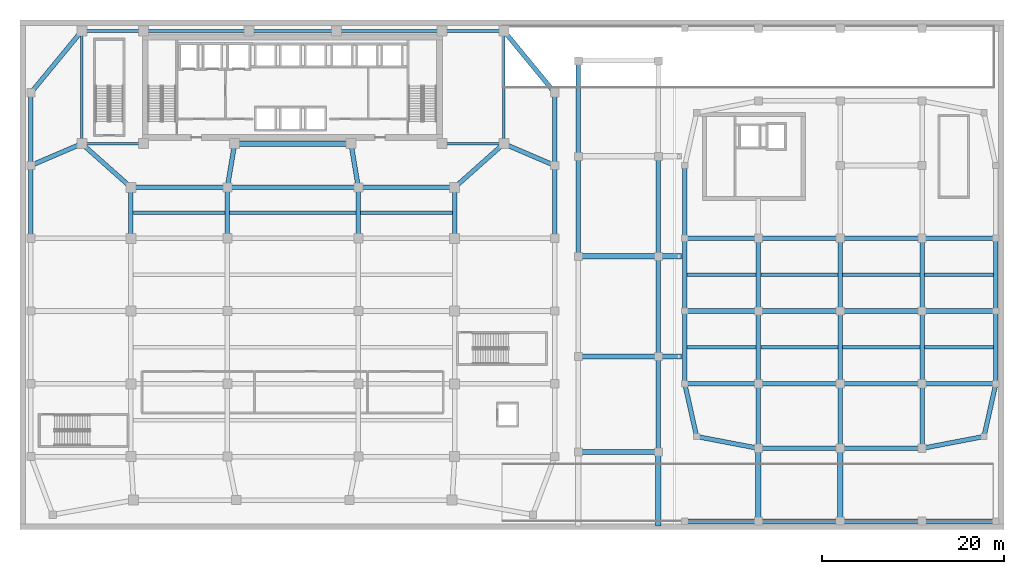
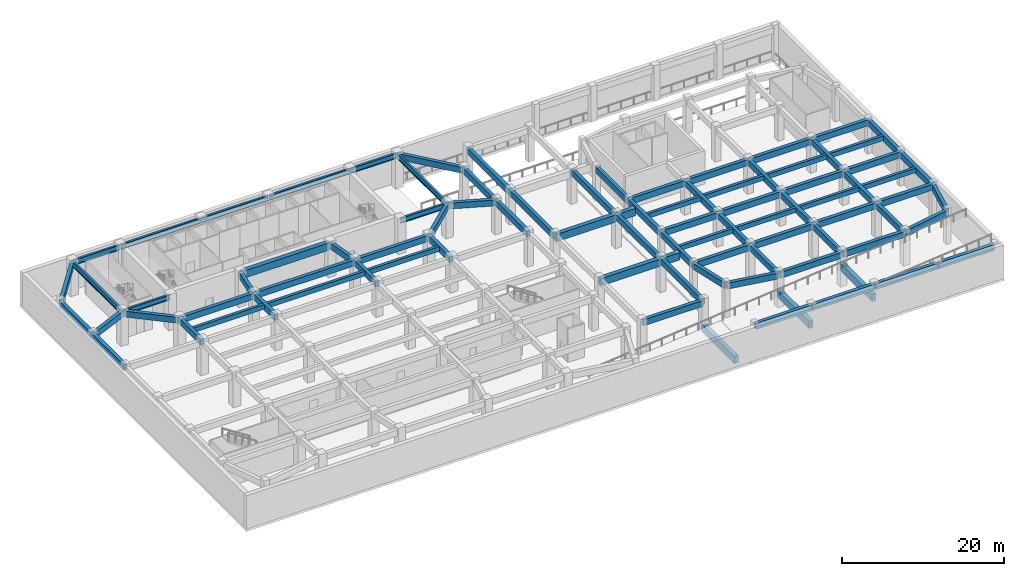
# One storey, part 2 of 14: 87 beams.
"""IFC4 building model written with IfcOpenShell, lengths in metres."""

import ifcopenshell
import ifcopenshell.guid

model = None  # the IFC model being written
_history = None  # IfcOwnerHistory: only IFC2X3 demands one
_inside = {}  # id of a spatial element -> (the spatial element, [elements in it])
_under = {}  # id of a project, library or spatial element -> (it, [spatial elements below it])
_declared = {}  # id of a project -> (the project, [libraries it declares])
_typed = {}  # id of a type object -> (the type object, [elements of that type])
_made_of = {}  # id of a material, layer set ... -> (it, [elements and type objects made of it])


def new_model(schema):
    """Start an empty IFC model of exactly this schema.

    Asked for "IFC4X3", IfcOpenShell would pick the latest addendum, in which some entities
    have other attributes; the version numbers below select the first issue.
    IFC2X3 requires an IfcOwnerHistory on every rooted entity: one is made here for all.
    """
    global model, _history
    if schema == "IFC4X3":
        model = ifcopenshell.file(schema_version=(4, 3, 0, 0))
    else:
        model = ifcopenshell.file(schema=schema)
    _inside.clear()
    _under.clear()
    _declared.clear()
    _typed.clear()
    _made_of.clear()
    _history = None
    if model.schema == "IFC2X3":
        org = make("IfcOrganization", Name="unknown")
        user = make(
            "IfcPersonAndOrganization",
            ThePerson=make("IfcPerson", FamilyName="unknown"),
            TheOrganization=org,
        )
        app = make(
            "IfcApplication",
            ApplicationDeveloper=org,
            Version="unknown",
            ApplicationFullName="unknown",
            ApplicationIdentifier="unknown",
        )
        _history = make(
            "IfcOwnerHistory",
            OwningUser=user,
            OwningApplication=app,
            ChangeAction="ADDED",
            CreationDate=0,
        )
    return model


def make(cls, **values):
    """One entity of the class cls with the attributes given. An attribute that is None is left unset."""
    return model.create_entity(
        cls, **{name: value for name, value in values.items() if value is not None}
    )


def rooted(cls, **values):
    """An entity with a GlobalId (a new one), such as an element, a storey or a relation."""
    return make(cls, GlobalId=ifcopenshell.guid.new(), OwnerHistory=_history, **values)


def si_unit(unit_type, name, prefix=None):
    """IfcSIUnit, for example si_unit("LENGTHUNIT", "METRE", prefix="MILLI")."""
    return make("IfcSIUnit", UnitType=unit_type, Prefix=prefix, Name=name)


def assignment(units):
    """IfcUnitAssignment: the units of a project."""
    return None if units is None else make("IfcUnitAssignment", Units=units)


def point(xyz):
    """IfcCartesianPoint."""
    return None if xyz is None else make("IfcCartesianPoint", Coordinates=xyz)


def direction(xyz):
    """IfcDirection."""
    return None if xyz is None else make("IfcDirection", DirectionRatios=xyz)


def frame(location, z_axis=None, x_axis=None):
    """IfcAxis2Placement3D, a coordinate frame: its origin and axes. An axis left out is left unset."""
    return make(
        "IfcAxis2Placement3D",
        Location=point(location),
        Axis=direction(z_axis),
        RefDirection=direction(x_axis),
    )


def frame_2d(location, x_axis=None):
    """IfcAxis2Placement2D, a coordinate frame in the plane: its origin and x axis."""
    return make(
        "IfcAxis2Placement2D", Location=point(location), RefDirection=direction(x_axis)
    )


def origin():
    """The frame at (0, 0, 0) with its axes left unset."""
    return frame((0.0, 0.0, 0.0))


def origin_2d():
    """The frame at (0, 0) in the plane with its x axis left unset."""
    return frame_2d((0.0, 0.0))


def place(relative_to, where):
    """IfcLocalPlacement: puts the frame where relative to a parent placement (None: the world)."""
    return make(
        "IfcLocalPlacement", PlacementRelTo=relative_to, RelativePlacement=where
    )


def context(
    kind, dimensions, precision=None, world=None, true_north=None, identifier=None
):
    """IfcGeometricRepresentationContext, for example the 3D "Model" context."""
    return make(
        "IfcGeometricRepresentationContext",
        ContextIdentifier=identifier,
        ContextType=kind,
        CoordinateSpaceDimension=dimensions,
        Precision=precision,
        WorldCoordinateSystem=world,
        TrueNorth=true_north,
    )


def subcontext(parent, identifier, kind, view, scale=None):
    """IfcGeometricRepresentationSubContext, for example "Body" below "Model"."""
    return make(
        "IfcGeometricRepresentationSubContext",
        ContextIdentifier=identifier,
        ContextType=kind,
        ParentContext=parent,
        TargetScale=scale,
        TargetView=view,
    )


def project(units=None, contexts=None):
    """IfcProject with its units and contexts."""
    return rooted(
        "IfcProject",
        Name="project",
        RepresentationContexts=contexts,
        UnitsInContext=assignment(units),
    )


def spatial(cls, under=None, at=None, **own):
    """A site, building, storey or space (cls), placed at a placement, below another one or the project."""
    s = rooted(cls, ObjectPlacement=at, **own)
    if under is not None:
        _under.setdefault(under.id(), (under, []))[1].append(s)
    return s


def profile(cls, at=None, kind="AREA", **sizes):
    """A parametric profile (cls). Its sizes go by their IFC names, for example OverallWidth=200.0."""
    return make(cls, ProfileType=kind, Position=at, **sizes)


def rectangle(**sizes):
    """IfcRectangleProfileDef."""
    return profile("IfcRectangleProfileDef", **sizes)


def i_section(**sizes):
    """IfcIShapeProfileDef."""
    return profile("IfcIShapeProfileDef", **sizes)


def extrude(swept, where, along, depth):
    """IfcExtrudedAreaSolid: the profile swept, set in the frame where, extruded along a direction by depth."""
    return make(
        "IfcExtrudedAreaSolid",
        SweptArea=swept,
        Position=where,
        ExtrudedDirection=direction(along),
        Depth=depth,
    )


def shape(context_of_items, identifier, shape_type, items):
    """IfcShapeRepresentation: the items that make up one representation, for example the "Body"."""
    return make(
        "IfcShapeRepresentation",
        ContextOfItems=context_of_items,
        RepresentationIdentifier=identifier,
        RepresentationType=shape_type,
        Items=items,
    )


def material(Name=None, Category=None):
    """IfcMaterial."""
    return make("IfcMaterial", Name=Name, Category=Category)


def material_profile(
    of_material, cross_section, Name=None, Category=None, Priority=None
):
    """IfcMaterialProfile: a cross section and its material."""
    return make(
        "IfcMaterialProfile",
        Name=Name,
        Material=of_material,
        Profile=cross_section,
        Priority=Priority,
        Category=Category,
    )


def profile_set(profiles, Name=None, composite=None):
    """IfcMaterialProfileSet."""
    return make(
        "IfcMaterialProfileSet",
        Name=Name,
        MaterialProfiles=profiles,
        CompositeProfile=composite,
    )


def made_of(thing, what):
    """Note that an element or type object is made of a material, layer set ...; save() writes the relation."""
    if what is not None:
        _made_of.setdefault(what.id(), (what, []))[1].append(thing)
    return thing


def type_object(cls, material=None, **own):
    """A type object (cls), such as IfcWallType, which elements share."""
    return made_of(rooted(cls, **own), material)


def element(
    cls,
    number,
    at=None,
    inside=None,
    cuts=None,
    type_object=None,
    material=None,
    context=None,
    identifier="Body",
    shape_type=None,
    held_by="IfcProductDefinitionShape",
    body=None,
    shapes=None,
    **own,
):
    """One element of the class cls, such as IfcWall. Its Tag is "e" and its number.

    at: its placement. inside: the storey or other place that contains it. cuts: it is an
    opening in that element (IfcRelVoidsElement). A single representation is given by context,
    identifier, shape_type and body (its items); several are given by shapes. held_by: the class
    of the entity that holds the representations. save() writes the other relations.
    """
    e = rooted(cls, Tag="e%d" % number, ObjectPlacement=at, **own)
    if body is not None:
        shapes = [shape(context, identifier, shape_type, body)]
    if shapes is not None:
        e.Representation = make(held_by, Representations=shapes)
    if inside is not None:
        _inside.setdefault(inside.id(), (inside, []))[1].append(e)
    if cuts is not None:
        rooted(
            "IfcRelVoidsElement", RelatingBuildingElement=cuts, RelatedOpeningElement=e
        )
    if type_object is not None:
        _typed.setdefault(type_object.id(), (type_object, []))[1].append(e)
    return made_of(e, material)


def aggregate(whole, parts):
    """IfcRelAggregates: a whole, such as a stair, and the parts it consists of."""
    return rooted("IfcRelAggregates", RelatingObject=whole, RelatedObjects=parts)


def save(model, path):
    """Write the relations noted so far, then the file.

    IfcRelAggregates (storeys below a building ...), IfcRelContainedInSpatialStructure (elements
    in a storey), IfcRelDefinesByType, IfcRelAssociatesMaterial and IfcRelDeclares: one each for
    every whole, place, type object, material and project.
    """
    for whole, parts in _under.values():
        aggregate(whole, parts)
    for where, things in _inside.values():
        rooted(
            "IfcRelContainedInSpatialStructure",
            RelatedElements=things,
            RelatingStructure=where,
        )
    for kind, things in _typed.values():
        rooted("IfcRelDefinesByType", RelatedObjects=things, RelatingType=kind)
    for what, things in _made_of.values():
        rooted("IfcRelAssociatesMaterial", RelatedObjects=things, RelatingMaterial=what)
    for by, libraries in _declared.values():
        rooted("IfcRelDeclares", RelatingContext=by, RelatedDefinitions=libraries)
    model.write(path)


model = new_model("IFC4")

# Units and contexts
model_context = context("Model", 3, precision=1e-05, world=origin(), true_north=direction((0.0, 1.0)))
body_context = subcontext(model_context, "Body", "Model", "MODEL_VIEW")
ifc_project = project(units=[si_unit("LENGTHUNIT", "METRE"), si_unit("AREAUNIT", "SQUARE_METRE"), si_unit("VOLUMEUNIT", "CUBIC_METRE"), si_unit("PLANEANGLEUNIT", "RADIAN"), si_unit("MASSUNIT", "GRAM", prefix="KILO")], contexts=[model_context])

# Site, building, storey
site_placement = place(None, origin())
site = spatial("IfcSite", under=ifc_project, at=site_placement, CompositionType="ELEMENT")
building_placement = place(site_placement, origin())
building = spatial("IfcBuilding", under=site, at=building_placement, Name="Saevonmaru Cultural Tower", CompositionType="ELEMENT")
storey_placement = place(building_placement, frame((0.0, 0.0, -5.39990234375)))
storey = spatial("IfcBuildingStorey", under=building, at=storey_placement, Name="B1", CompositionType="ELEMENT", Elevation=-5.39990234375)

# Beams
ifc_material_1 = material(Name="Concrete C60/75", Category="concrete")
ifc_material_profile_1 = material_profile(ifc_material_1, rectangle(XDim=0.60009765625, YDim=1.10009765625, at=origin_2d()), Name="RC-CB-600x1100")
ifc_profile_set_1 = profile_set([ifc_material_profile_1], Name="Concrete C60/75")
beam_type_1 = type_object("IfcBeamType", Name="BM-CB-RC600x1100", PredefinedType="LINTEL", material=ifc_profile_set_1)
beam_1_placement = place(storey_placement, frame((70.199951171875, 0.360107421875, 0.81982421875), z_axis=(0.0, 1.0, 0.0), x_axis=(-1.0, 0.0, 0.0)))
element("IfcBeam", 1, at=beam_1_placement, inside=storey, type_object=beam_type_1, Name="B1 Vehicle Ramp VR-1 Transverse Support Girder 2", PredefinedType="LINTEL", context=body_context, shape_type="SweptSolid", body=[
    extrude(rectangle(XDim=0.60009765625, YDim=1.10009765625, at=origin_2d()), origin(), (0.0, 0.0, 1.0), 8.079833984375),
])
for number, where, z_axis, x_axis, name in (
    (2, (81.199951171875, 0.9599609375, 1.919921875), (0.0, 1.0, 0.0), (-1.0, 0.0, 0.0), "B1 Vehicle Ramp VR-1 Transverse Support Girder 3"),
    (3, (90.199951171875, 0.9599609375, 2.81982421875), (0.0, 1.0, 0.0), (-1.0, 0.0, 0.0), "B1 Vehicle Ramp VR-1 Transverse Support Girder 4"),
):
    element("IfcBeam", number, at=place(storey_placement, frame(where, z_axis=z_axis, x_axis=x_axis)), inside=storey, type_object=beam_type_1, Name=name, PredefinedType="LINTEL", context=body_context, shape_type="SweptSolid", body=[
        extrude(rectangle(XDim=0.60009765625, YDim=1.10009765625, at=origin_2d()), origin(), (0.0, 0.0, 1.0), 7.880126953125),
    ])
beam_2_placement = place(storey_placement, frame((23.659912109375, 42.39990234375, 4.5), z_axis=(1.0, 0.0, 0.0), x_axis=(0.0, 1.0, 0.0)))
element("IfcBeam", 4, at=beam_2_placement, inside=storey, type_object=beam_type_1, Name="B1 Core South Girder 3", PredefinedType="LINTEL", context=body_context, shape_type="SweptSolid", body=[
    extrude(rectangle(XDim=0.60009765625, YDim=1.10009765625, at=origin_2d()), origin(), (0.0, 0.0, 1.0), 12.68017578125),
])
for number, where, z_axis, x_axis, name in (
    (5, (61.4599609375, 19.0, 4.419921875), (1.0, 0.0, 0.0), (0.0, 1.0, 0.0), "BM-PLZ-EW-2-B1"),
    (6, (61.4599609375, 30.0, 4.419921875), (1.0, 0.0, 0.0), (0.0, 1.0, 0.0), "BM-PLZ-EW-3-B1"),
):
    element("IfcBeam", number, at=place(storey_placement, frame(where, z_axis=z_axis, x_axis=x_axis)), inside=storey, type_object=beam_type_1, Name=name, PredefinedType="LINTEL", context=body_context, shape_type="SweptSolid", body=[
        extrude(rectangle(XDim=0.60009765625, YDim=1.10009765625, at=origin_2d()), origin(), (0.0, 0.0, 1.0), 11.2900390625),
    ])
ifc_material_2 = material(Name="Steel SM420", Category="steel")
ifc_material_profile_2 = material_profile(ifc_material_2, i_section(OverallWidth=0.300048828125, OverallDepth=0.800048828125, WebThickness=0.013916015625, FlangeThickness=0.02587890625, FilletRadius=0.028076171875, at=origin_2d()), Name="H-800x300x14x26")
ifc_profile_set_2 = profile_set([ifc_material_profile_2], Name="Steel SM420")
beam_type_2 = type_object("IfcBeamType", Name="BM-G-H800", PredefinedType="BEAM", material=ifc_profile_set_2)
beam_3_placement = place(storey_placement, frame((6.860107421875, 54.800048828125, 4.64990234375), z_axis=(1.0, 0.0, 0.0), x_axis=(0.0, 1.0, 0.0)))
element("IfcBeam", 7, at=beam_3_placement, inside=storey, type_object=beam_type_2, Name="B1 North Spine Girder 1", PredefinedType="BEAM", context=body_context, shape_type="SweptSolid", body=[
    extrude(i_section(OverallWidth=0.300048828125, OverallDepth=0.800048828125, WebThickness=0.013916015625, FlangeThickness=0.02587890625, FilletRadius=0.028076171875, at=origin_2d()), origin(), (0.0, 0.0, 1.0), 6.679931640625),
])
beam_4_placement = place(storey_placement, frame((13.659912109375, 54.800048828125, 4.64990234375), z_axis=(1.0, 0.0, 0.0), x_axis=(0.0, 1.0, 0.0)))
element("IfcBeam", 8, at=beam_4_placement, inside=storey, type_object=beam_type_2, Name="B1 North Spine Girder 2", PredefinedType="BEAM", context=body_context, shape_type="SweptSolid", body=[
    extrude(i_section(OverallWidth=0.300048828125, OverallDepth=0.800048828125, WebThickness=0.013916015625, FlangeThickness=0.02587890625, FilletRadius=0.028076171875, at=origin_2d()), origin(), (0.0, 0.0, 1.0), 11.47998046875),
])
beam_5_placement = place(storey_placement, frame((25.260009765625, 54.800048828125, 4.64990234375), z_axis=(1.0, 0.0, 0.0), x_axis=(0.0, 1.0, 0.0)))
element("IfcBeam", 9, at=beam_5_placement, inside=storey, type_object=beam_type_2, Name="B1 North Spine Girder 3", PredefinedType="BEAM", context=body_context, shape_type="SweptSolid", body=[
    extrude(i_section(OverallWidth=0.300048828125, OverallDepth=0.800048828125, WebThickness=0.013916015625, FlangeThickness=0.02587890625, FilletRadius=0.028076171875, at=origin_2d()), origin(), (0.0, 0.0, 1.0), 9.47998046875),
])
beam_6_placement = place(storey_placement, frame((34.860107421875, 54.800048828125, 4.64990234375), z_axis=(1.0, 0.0, 0.0), x_axis=(0.0, 1.0, 0.0)))
element("IfcBeam", 10, at=beam_6_placement, inside=storey, type_object=beam_type_2, Name="B1 North Spine Girder 4", PredefinedType="BEAM", context=body_context, shape_type="SweptSolid", body=[
    extrude(i_section(OverallWidth=0.300048828125, OverallDepth=0.800048828125, WebThickness=0.013916015625, FlangeThickness=0.02587890625, FilletRadius=0.028076171875, at=origin_2d()), origin(), (0.0, 0.0, 1.0), 11.47998046875),
])
for number, where, z_axis, x_axis, name in (
    (11, (46.4599609375, 54.800048828125, 4.64990234375), (1.0, 0.0, 0.0), (0.0, 1.0, 0.0), "B1 North Spine Girder 5"),
    (12, (6.860107421875, 42.39990234375, 4.64990234375), (1.0, 0.0, 0.0), (0.0, 1.0, 0.0), "B1 Core South Girder 1"),
    (13, (46.4599609375, 42.39990234375, 4.64990234375), (1.0, 0.0, 0.0), (0.0, 1.0, 0.0), "B1 Core South Girder 5"),
):
    element("IfcBeam", number, at=place(storey_placement, frame(where, z_axis=z_axis, x_axis=x_axis)), inside=storey, type_object=beam_type_2, Name=name, PredefinedType="BEAM", context=body_context, shape_type="SweptSolid", body=[
        extrude(i_section(OverallWidth=0.300048828125, OverallDepth=0.800048828125, WebThickness=0.013916015625, FlangeThickness=0.02587890625, FilletRadius=0.028076171875, at=origin_2d()), origin(), (0.0, 0.0, 1.0), 6.679931640625),
    ])
for number, where, z_axis, x_axis, name in (
    (14, (6.800048828125, 54.739990234375, 4.64990234375), (0.0, -1.0, 0.0), (1.0, 0.0, 0.0), "B1 Spine Transverse Girder W"),
    (15, (53.199951171875, 54.739990234375, 4.64990234375), (0.0, -1.0, 0.0), (1.0, 0.0, 0.0), "B1 Spine Transverse Girder E"),
):
    element("IfcBeam", number, at=place(storey_placement, frame(where, z_axis=z_axis, x_axis=x_axis)), inside=storey, type_object=beam_type_2, Name=name, PredefinedType="BEAM", context=body_context, shape_type="SweptSolid", body=[
        extrude(i_section(OverallWidth=0.300048828125, OverallDepth=0.800048828125, WebThickness=0.013916015625, FlangeThickness=0.02587890625, FilletRadius=0.028076171875, at=origin_2d()), origin(), (0.0, 0.0, 1.0), 12.280029296875),
    ])
ifc_material_3 = material(Name="Concrete C40/50", Category="concrete")
ifc_material_profile_3 = material_profile(ifc_material_3, rectangle(XDim=0.39990234375, YDim=0.699951171875, at=origin_2d()), Name="RC-BM-400x700")
ifc_profile_set_3 = profile_set([ifc_material_profile_3], Name="Concrete C40/50")
beam_type_3 = type_object("IfcBeamType", Name="BM-RC-400x700", PredefinedType="BEAM", material=ifc_profile_set_3)
for number, where, z_axis, x_axis, name in (
    (16, (12.4580078125, 34.800048828125, 4.699951171875), (1.0, 0.0, 0.0), (0.0, 1.0, 0.0), "B1 Secondary Floor Joist JW-4"),
    (17, (37.4580078125, 34.800048828125, 4.699951171875), (1.0, 0.0, 0.0), (0.0, 1.0, 0.0), "B1 Secondary Floor Joist JE-4"),
):
    element("IfcBeam", number, at=place(storey_placement, frame(where, z_axis=z_axis, x_axis=x_axis)), inside=storey, type_object=beam_type_3, Name=name, PredefinedType="BEAM", context=body_context, shape_type="SweptSolid", body=[
        extrude(rectangle(XDim=0.39990234375, YDim=0.699951171875, at=origin_2d()), origin(), (0.0, 0.0, 1.0), 10.083984375),
    ])
beam_7_placement = place(storey_placement, frame((23.05810546875, 34.800048828125, 4.699951171875), z_axis=(1.0, 0.0, 0.0), x_axis=(0.0, 1.0, 0.0)))
element("IfcBeam", 18, at=beam_7_placement, inside=storey, type_object=beam_type_3, Name="B1 Secondary Floor Joist JC-4", PredefinedType="BEAM", context=body_context, shape_type="SweptSolid", body=[
    extrude(rectangle(XDim=0.39990234375, YDim=0.699951171875, at=origin_2d()), origin(), (0.0, 0.0, 1.0), 13.8837890625),
])
beam_8_placement = place(storey_placement, frame((73.35791015625, 20.0, 4.699951171875), z_axis=(1.0, 0.0, 0.0), x_axis=(0.0, 1.0, 0.0)))
element("IfcBeam", 19, at=beam_8_placement, inside=storey, type_object=beam_type_3, Name="B1 Library Joist J-2-1", PredefinedType="BEAM", context=body_context, shape_type="SweptSolid", body=[
    extrude(rectangle(XDim=0.39990234375, YDim=0.699951171875, at=origin_2d()), origin(), (0.0, 0.0, 1.0), 7.583984375),
])
for number, where, z_axis, x_axis, name in (
    (20, (81.4580078125, 20.0, 4.699951171875), (1.0, 0.0, 0.0), (0.0, 1.0, 0.0), "B1 Library Joist J-2-2"),
    (21, (90.4580078125, 20.0, 4.699951171875), (1.0, 0.0, 0.0), (0.0, 1.0, 0.0), "B1 Library Joist J-2-3"),
):
    element("IfcBeam", number, at=place(storey_placement, frame(where, z_axis=z_axis, x_axis=x_axis)), inside=storey, type_object=beam_type_3, Name=name, PredefinedType="BEAM", context=body_context, shape_type="SweptSolid", body=[
        extrude(rectangle(XDim=0.39990234375, YDim=0.699951171875, at=origin_2d()), origin(), (0.0, 0.0, 1.0), 8.48388671875),
    ])
for number, where, z_axis, x_axis, name in (
    (22, (99.4580078125, 20.0, 4.699951171875), (1.0, 0.0, 0.0), (0.0, 1.0, 0.0), "B1 Library Joist J-2-4"),
    (23, (73.35791015625, 28.0, 4.699951171875), (1.0, 0.0, 0.0), (0.0, 1.0, 0.0), "B1 Library Joist J-3-1"),
):
    element("IfcBeam", number, at=place(storey_placement, frame(where, z_axis=z_axis, x_axis=x_axis)), inside=storey, type_object=beam_type_3, Name=name, PredefinedType="BEAM", context=body_context, shape_type="SweptSolid", body=[
        extrude(rectangle(XDim=0.39990234375, YDim=0.699951171875, at=origin_2d()), origin(), (0.0, 0.0, 1.0), 7.583984375),
    ])
for number, where, z_axis, x_axis, name in (
    (24, (81.4580078125, 28.0, 4.699951171875), (1.0, 0.0, 0.0), (0.0, 1.0, 0.0), "B1 Library Joist J-3-2"),
    (25, (90.4580078125, 28.0, 4.699951171875), (1.0, 0.0, 0.0), (0.0, 1.0, 0.0), "B1 Library Joist J-3-3"),
):
    element("IfcBeam", number, at=place(storey_placement, frame(where, z_axis=z_axis, x_axis=x_axis)), inside=storey, type_object=beam_type_3, Name=name, PredefinedType="BEAM", context=body_context, shape_type="SweptSolid", body=[
        extrude(rectangle(XDim=0.39990234375, YDim=0.699951171875, at=origin_2d()), origin(), (0.0, 0.0, 1.0), 8.48388671875),
    ])
beam_9_placement = place(storey_placement, frame((99.4580078125, 28.0, 4.699951171875), z_axis=(1.0, 0.0, 0.0), x_axis=(0.0, 1.0, 0.0)))
element("IfcBeam", 26, at=beam_9_placement, inside=storey, type_object=beam_type_3, Name="B1 Library Joist J-3-4", PredefinedType="BEAM", context=body_context, shape_type="SweptSolid", body=[
    extrude(rectangle(XDim=0.39990234375, YDim=0.699951171875, at=origin_2d()), origin(), (0.0, 0.0, 1.0), 7.583984375),
])
ifc_material_4 = material(Name="Concrete C50/60", Category="concrete")
ifc_material_profile_4 = material_profile(ifc_material_4, rectangle(XDim=0.5, YDim=0.89990234375, at=origin_2d()), Name="RC-BM-500x900")
ifc_profile_set_4 = profile_set([ifc_material_profile_4], Name="Concrete C50/60")
beam_type_4 = type_object("IfcBeamType", Name="BM-RC-500x900", PredefinedType="BEAM", material=ifc_profile_set_4)
beam_10_placement = place(storey_placement, frame((12.199951171875, 32.06005859375, 4.599853515625), z_axis=(0.0, 1.0, 0.0), x_axis=(-1.0, 0.0, 0.0)))
element("IfcBeam", 27, at=beam_10_placement, inside=storey, type_object=beam_type_4, Name="B1 Podium Girder NS1-5", PredefinedType="BEAM", context=body_context, shape_type="SweptSolid", body=[
    extrude(rectangle(XDim=0.5, YDim=0.89990234375, at=origin_2d()), origin(), (0.0, 0.0, 1.0), 5.47998046875),
])
beam_11_placement = place(storey_placement, frame((12.1552734375, 37.639892578125, 4.599853515625), z_axis=(-0.74742827637, 0.664342510819, 0.0), x_axis=(-0.664342510819, -0.74742827637, 0.0)))
element("IfcBeam", 28, at=beam_11_placement, inside=storey, type_object=beam_type_4, Name="B1 Podium Girder NS1-6", PredefinedType="BEAM", context=body_context, shape_type="SweptSolid", body=[
    extrude(rectangle(XDim=0.5, YDim=0.89990234375, at=origin_2d()), origin(), (0.0, 0.0, 1.0), 7.10498046875),
])
beam_12_placement = place(storey_placement, frame((22.800048828125, 32.06005859375, 4.599853515625), z_axis=(0.0, 1.0, 0.0), x_axis=(-1.0, 0.0, 0.0)))
element("IfcBeam", 29, at=beam_12_placement, inside=storey, type_object=beam_type_4, Name="B1 Podium Girder NS2-5", PredefinedType="BEAM", context=body_context, shape_type="SweptSolid", body=[
    extrude(rectangle(XDim=0.5, YDim=0.89990234375, at=origin_2d()), origin(), (0.0, 0.0, 1.0), 5.47998046875),
])
beam_13_placement = place(storey_placement, frame((22.809814453125, 37.6591796875, 4.599853515625), z_axis=(0.164398987305, 0.986393923832, 0.0), x_axis=(-0.986393923832, 0.164398987305, 0.0)))
element("IfcBeam", 30, at=beam_13_placement, inside=storey, type_object=beam_type_4, Name="B1 Podium Girder NS2-6", PredefinedType="BEAM", context=body_context, shape_type="SweptSolid", body=[
    extrude(rectangle(XDim=0.5, YDim=0.89990234375, at=origin_2d()), origin(), (0.0, 0.0, 1.0), 4.746337890625),
])
beam_14_placement = place(storey_placement, frame((37.199951171875, 32.06005859375, 4.599853515625), z_axis=(0.0, 1.0, 0.0), x_axis=(-1.0, 0.0, 0.0)))
element("IfcBeam", 31, at=beam_14_placement, inside=storey, type_object=beam_type_4, Name="B1 Podium Girder NS3-5", PredefinedType="BEAM", context=body_context, shape_type="SweptSolid", body=[
    extrude(rectangle(XDim=0.5, YDim=0.89990234375, at=origin_2d()), origin(), (0.0, 0.0, 1.0), 5.47998046875),
])
beam_15_placement = place(storey_placement, frame((37.190185546875, 37.6591796875, 4.599853515625), z_axis=(-0.164398987305, 0.986393923832, 0.0), x_axis=(-0.986393923832, -0.164398987305, 0.0)))
element("IfcBeam", 32, at=beam_15_placement, inside=storey, type_object=beam_type_4, Name="B1 Podium Girder NS3-6", PredefinedType="BEAM", context=body_context, shape_type="SweptSolid", body=[
    extrude(rectangle(XDim=0.5, YDim=0.89990234375, at=origin_2d()), origin(), (0.0, 0.0, 1.0), 4.746337890625),
])
beam_16_placement = place(storey_placement, frame((47.800048828125, 32.06005859375, 4.599853515625), z_axis=(0.0, 1.0, 0.0), x_axis=(-1.0, 0.0, 0.0)))
element("IfcBeam", 33, at=beam_16_placement, inside=storey, type_object=beam_type_4, Name="B1 Podium Girder NS4-5", PredefinedType="BEAM", context=body_context, shape_type="SweptSolid", body=[
    extrude(rectangle(XDim=0.5, YDim=0.89990234375, at=origin_2d()), origin(), (0.0, 0.0, 1.0), 5.47998046875),
])
beam_17_placement = place(storey_placement, frame((47.8447265625, 37.639892578125, 4.599853515625), z_axis=(0.74742827637, 0.664342510819, 0.0), x_axis=(-0.664342510819, 0.74742827637, 0.0)))
element("IfcBeam", 34, at=beam_17_placement, inside=storey, type_object=beam_type_4, Name="B1 Podium Girder NS4-6", PredefinedType="BEAM", context=body_context, shape_type="SweptSolid", body=[
    extrude(rectangle(XDim=0.5, YDim=0.89990234375, at=origin_2d()), origin(), (0.0, 0.0, 1.0), 7.10498046875),
])
for number, where, z_axis, x_axis, name in (
    (35, (12.260009765625, 37.60009765625, 4.599853515625), (1.0, 0.0, 0.0), (0.0, 1.0, 0.0), "B1 Gallery Girder W-5"),
    (36, (37.260009765625, 37.60009765625, 4.599853515625), (1.0, 0.0, 0.0), (0.0, 1.0, 0.0), "B1 Gallery Girder E-5"),
):
    element("IfcBeam", number, at=place(storey_placement, frame(where, z_axis=z_axis, x_axis=x_axis)), inside=storey, type_object=beam_type_4, Name=name, PredefinedType="BEAM", context=body_context, shape_type="SweptSolid", body=[
        extrude(rectangle(XDim=0.5, YDim=0.89990234375, at=origin_2d()), origin(), (0.0, 0.0, 1.0), 10.47998046875),
    ])
beam_18_placement = place(storey_placement, frame((22.860107421875, 37.60009765625, 4.599853515625), z_axis=(1.0, 0.0, 0.0), x_axis=(0.0, 1.0, 0.0)))
element("IfcBeam", 37, at=beam_18_placement, inside=storey, type_object=beam_type_4, Name="B1 Long-Span Hall Girder C-5", PredefinedType="BEAM", context=body_context, shape_type="SweptSolid", body=[
    extrude(rectangle(XDim=0.5, YDim=0.89990234375, at=origin_2d()), origin(), (0.0, 0.0, 1.0), 14.27978515625),
])
for number, where, z_axis, x_axis, name in (
    (38, (1.199951171875, 32.06005859375, 4.599853515625), (0.0, 1.0, 0.0), (-1.0, 0.0, 0.0), "BM-POD-PW-4-B1"),
    (39, (58.800048828125, 32.06005859375, 4.599853515625), (0.0, 1.0, 0.0), (-1.0, 0.0, 0.0), "BM-POD-PE-4-B1"),
    (40, (1.199951171875, 40.06005859375, 4.599853515625), (0.0, 1.0, 0.0), (-1.0, 0.0, 0.0), "BM-POD-PW-5-B1"),
    (41, (58.800048828125, 40.06005859375, 4.599853515625), (0.0, 1.0, 0.0), (-1.0, 0.0, 0.0), "BM-POD-PE-5-B1"),
):
    element("IfcBeam", number, at=place(storey_placement, frame(where, z_axis=z_axis, x_axis=x_axis)), inside=storey, type_object=beam_type_4, Name=name, PredefinedType="BEAM", context=body_context, shape_type="SweptSolid", body=[
        extrude(rectangle(XDim=0.5, YDim=0.89990234375, at=origin_2d()), origin(), (0.0, 0.0, 1.0), 7.8798828125),
    ])
beam_19_placement = place(storey_placement, frame((1.255126953125, 40.023681640625, 4.599853515625), z_axis=(0.919142915717, 0.393924231912, 0.0), x_axis=(-0.393924231912, 0.919142915717, 0.0)))
element("IfcBeam", 42, at=beam_19_placement, inside=storey, type_object=beam_type_4, Name="BM-POD-TW1-B1", PredefinedType="BEAM", context=body_context, shape_type="SweptSolid", body=[
    extrude(rectangle(XDim=0.5, YDim=0.89990234375, at=origin_2d()), origin(), (0.0, 0.0, 1.0), 5.97265625),
])
beam_20_placement = place(storey_placement, frame((1.238037109375, 48.04638671875, 4.599853515625), z_axis=(0.635726949651, 0.771914014309, 0.0), x_axis=(-0.771914014309, 0.635726949651, 0.0)))
element("IfcBeam", 43, at=beam_20_placement, inside=storey, type_object=beam_type_4, Name="BM-POD-TW2-B1", PredefinedType="BEAM", context=body_context, shape_type="SweptSolid", body=[
    extrude(rectangle(XDim=0.5, YDim=0.89990234375, at=origin_2d()), origin(), (0.0, 0.0, 1.0), 8.689208984375),
])
beam_21_placement = place(storey_placement, frame((53.255126953125, 42.37646484375, 4.599853515625), z_axis=(0.919142915717, -0.393924231912, 0.0), x_axis=(0.393924231912, 0.919142915717, 0.0)))
element("IfcBeam", 44, at=beam_21_placement, inside=storey, type_object=beam_type_4, Name="BM-POD-TE1-B1", PredefinedType="BEAM", context=body_context, shape_type="SweptSolid", body=[
    extrude(rectangle(XDim=0.5, YDim=0.89990234375, at=origin_2d()), origin(), (0.0, 0.0, 1.0), 5.97265625),
])
beam_22_placement = place(storey_placement, frame((53.238037109375, 54.753662109375, 4.599853515625), z_axis=(0.635726949651, -0.771914014309, 0.0), x_axis=(0.771914014309, 0.635726949651, 0.0)))
element("IfcBeam", 45, at=beam_22_placement, inside=storey, type_object=beam_type_4, Name="BM-POD-TE2-B1", PredefinedType="BEAM", context=body_context, shape_type="SweptSolid", body=[
    extrude(rectangle(XDim=0.5, YDim=0.89990234375, at=origin_2d()), origin(), (0.0, 0.0, 1.0), 8.689208984375),
])
beam_23_placement = place(storey_placement, frame((61.4599609375, 8.5, 4.599853515625), z_axis=(1.0, 0.0, 0.0), x_axis=(0.0, 1.0, 0.0)))
element("IfcBeam", 46, at=beam_23_placement, inside=storey, type_object=beam_type_4, Name="BM-PLZ-EW-1-B1", PredefinedType="BEAM", context=body_context, shape_type="SweptSolid", body=[
    extrude(rectangle(XDim=0.5, YDim=0.89990234375, at=origin_2d()), origin(), (0.0, 0.0, 1.0), 8.679931640625),
])
beam_24_placement = place(storey_placement, frame((70.199951171875, 8.56005859375, 4.599853515625), z_axis=(0.0, 1.0, 0.0), x_axis=(-1.0, 0.0, 0.0)))
element("IfcBeam", 47, at=beam_24_placement, inside=storey, type_object=beam_type_4, Name="BM-PLZ-NSE-1-B1", PredefinedType="BEAM", context=body_context, shape_type="SweptSolid", body=[
    extrude(rectangle(XDim=0.5, YDim=0.89990234375, at=origin_2d()), origin(), (0.0, 0.0, 1.0), 10.3798828125),
])
for number, where, z_axis, x_axis, name in (
    (48, (70.199951171875, 19.06005859375, 4.599853515625), (0.0, 1.0, 0.0), (-1.0, 0.0, 0.0), "BM-PLZ-NSE-2-B1"),
    (49, (61.39990234375, 30.06005859375, 4.599853515625), (0.0, 1.0, 0.0), (-1.0, 0.0, 0.0), "BM-PLZ-NSW-3-B1"),
    (50, (70.199951171875, 30.06005859375, 4.599853515625), (0.0, 1.0, 0.0), (-1.0, 0.0, 0.0), "BM-PLZ-NSE-3-B1"),
):
    element("IfcBeam", number, at=place(storey_placement, frame(where, z_axis=z_axis, x_axis=x_axis)), inside=storey, type_object=beam_type_4, Name=name, PredefinedType="BEAM", context=body_context, shape_type="SweptSolid", body=[
        extrude(rectangle(XDim=0.5, YDim=0.89990234375, at=origin_2d()), origin(), (0.0, 0.0, 1.0), 10.8798828125),
    ])
beam_25_placement = place(storey_placement, frame((61.39990234375, 41.06005859375, 4.599853515625), z_axis=(0.0, 1.0, 0.0), x_axis=(-1.0, 0.0, 0.0)))
element("IfcBeam", 51, at=beam_25_placement, inside=storey, type_object=beam_type_4, Name="BM-PLZ-NSW-4-B1", PredefinedType="BEAM", context=body_context, shape_type="SweptSolid", body=[
    extrude(rectangle(XDim=0.5, YDim=0.89990234375, at=origin_2d()), origin(), (0.0, 0.0, 1.0), 10.3798828125),
])
beam_26_placement = place(storey_placement, frame((74.458984375, 10.188720703125, 4.599853515625), z_axis=(0.982215224342, -0.187758496666, 0.0), x_axis=(0.187758496666, 0.982215224342, 0.0)))
element("IfcBeam", 52, at=beam_26_placement, inside=storey, type_object=beam_type_4, Name="B1 Library Girder EW-1-1", PredefinedType="BEAM", context=body_context, shape_type="SweptSolid", body=[
    extrude(rectangle(XDim=0.5, YDim=0.89990234375, at=origin_2d()), origin(), (0.0, 0.0, 1.0), 6.80322265625),
])
for number, where, z_axis, x_axis, name in (
    (53, (81.260009765625, 8.89990234375, 4.599853515625), (1.0, 0.0, 0.0), (0.0, 1.0, 0.0), "B1 Library Girder EW-1-2"),
    (54, (90.260009765625, 8.89990234375, 4.599853515625), (1.0, 0.0, 0.0), (0.0, 1.0, 0.0), "B1 Library Girder EW-1-3"),
):
    element("IfcBeam", number, at=place(storey_placement, frame(where, z_axis=z_axis, x_axis=x_axis)), inside=storey, type_object=beam_type_4, Name=name, PredefinedType="BEAM", context=body_context, shape_type="SweptSolid", body=[
        extrude(rectangle(XDim=0.5, YDim=0.89990234375, at=origin_2d()), origin(), (0.0, 0.0, 1.0), 8.8798828125),
    ])
beam_27_placement = place(storey_placement, frame((99.2587890625, 8.911376953125, 4.599853515625), z_axis=(0.982216489393, 0.187751878722, 0.0), x_axis=(-0.187751878722, 0.982216489393, 0.0)))
element("IfcBeam", 55, at=beam_27_placement, inside=storey, type_object=beam_type_4, Name="B1 Library Girder EW-1-4", PredefinedType="BEAM", context=body_context, shape_type="SweptSolid", body=[
    extrude(rectangle(XDim=0.5, YDim=0.89990234375, at=origin_2d()), origin(), (0.0, 0.0, 1.0), 6.803466796875),
])
beam_28_placement = place(storey_placement, frame((73.159912109375, 16.0, 4.599853515625), z_axis=(1.0, 0.0, 0.0), x_axis=(0.0, 1.0, 0.0)))
element("IfcBeam", 56, at=beam_28_placement, inside=storey, type_object=beam_type_4, Name="B1 Library Girder EW-2-1", PredefinedType="BEAM", context=body_context, shape_type="SweptSolid", body=[
    extrude(rectangle(XDim=0.5, YDim=0.89990234375, at=origin_2d()), origin(), (0.0, 0.0, 1.0), 7.97998046875),
])
for number, where, z_axis, x_axis, name in (
    (57, (81.260009765625, 16.0, 4.599853515625), (1.0, 0.0, 0.0), (0.0, 1.0, 0.0), "B1 Library Girder EW-2-2"),
    (58, (90.260009765625, 16.0, 4.599853515625), (1.0, 0.0, 0.0), (0.0, 1.0, 0.0), "B1 Library Girder EW-2-3"),
):
    element("IfcBeam", number, at=place(storey_placement, frame(where, z_axis=z_axis, x_axis=x_axis)), inside=storey, type_object=beam_type_4, Name=name, PredefinedType="BEAM", context=body_context, shape_type="SweptSolid", body=[
        extrude(rectangle(XDim=0.5, YDim=0.89990234375, at=origin_2d()), origin(), (0.0, 0.0, 1.0), 8.8798828125),
    ])
for number, where, z_axis, x_axis, name in (
    (59, (99.260009765625, 16.0, 4.599853515625), (1.0, 0.0, 0.0), (0.0, 1.0, 0.0), "B1 Library Girder EW-2-4"),
    (60, (73.159912109375, 24.0, 4.599853515625), (1.0, 0.0, 0.0), (0.0, 1.0, 0.0), "B1 Library Girder EW-3-1"),
):
    element("IfcBeam", number, at=place(storey_placement, frame(where, z_axis=z_axis, x_axis=x_axis)), inside=storey, type_object=beam_type_4, Name=name, PredefinedType="BEAM", context=body_context, shape_type="SweptSolid", body=[
        extrude(rectangle(XDim=0.5, YDim=0.89990234375, at=origin_2d()), origin(), (0.0, 0.0, 1.0), 7.97998046875),
    ])
for number, where, z_axis, x_axis, name in (
    (61, (81.260009765625, 24.0, 4.599853515625), (1.0, 0.0, 0.0), (0.0, 1.0, 0.0), "B1 Library Girder EW-3-2"),
    (62, (90.260009765625, 24.0, 4.599853515625), (1.0, 0.0, 0.0), (0.0, 1.0, 0.0), "B1 Library Girder EW-3-3"),
):
    element("IfcBeam", number, at=place(storey_placement, frame(where, z_axis=z_axis, x_axis=x_axis)), inside=storey, type_object=beam_type_4, Name=name, PredefinedType="BEAM", context=body_context, shape_type="SweptSolid", body=[
        extrude(rectangle(XDim=0.5, YDim=0.89990234375, at=origin_2d()), origin(), (0.0, 0.0, 1.0), 8.8798828125),
    ])
for number, where, z_axis, x_axis, name in (
    (63, (99.260009765625, 24.0, 4.599853515625), (1.0, 0.0, 0.0), (0.0, 1.0, 0.0), "B1 Library Girder EW-3-4"),
    (64, (73.159912109375, 32.0, 4.599853515625), (1.0, 0.0, 0.0), (0.0, 1.0, 0.0), "B1 Library Girder EW-4-1"),
):
    element("IfcBeam", number, at=place(storey_placement, frame(where, z_axis=z_axis, x_axis=x_axis)), inside=storey, type_object=beam_type_4, Name=name, PredefinedType="BEAM", context=body_context, shape_type="SweptSolid", body=[
        extrude(rectangle(XDim=0.5, YDim=0.89990234375, at=origin_2d()), origin(), (0.0, 0.0, 1.0), 7.97998046875),
    ])
for number, where, z_axis, x_axis, name in (
    (65, (81.260009765625, 32.0, 4.599853515625), (1.0, 0.0, 0.0), (0.0, 1.0, 0.0), "B1 Library Girder EW-4-2"),
    (66, (90.260009765625, 32.0, 4.599853515625), (1.0, 0.0, 0.0), (0.0, 1.0, 0.0), "B1 Library Girder EW-4-3"),
):
    element("IfcBeam", number, at=place(storey_placement, frame(where, z_axis=z_axis, x_axis=x_axis)), inside=storey, type_object=beam_type_4, Name=name, PredefinedType="BEAM", context=body_context, shape_type="SweptSolid", body=[
        extrude(rectangle(XDim=0.5, YDim=0.89990234375, at=origin_2d()), origin(), (0.0, 0.0, 1.0), 8.8798828125),
    ])
beam_29_placement = place(storey_placement, frame((99.260009765625, 32.0, 4.599853515625), z_axis=(1.0, 0.0, 0.0), x_axis=(0.0, 1.0, 0.0)))
element("IfcBeam", 67, at=beam_29_placement, inside=storey, type_object=beam_type_4, Name="B1 Library Girder EW-4-4", PredefinedType="BEAM", context=body_context, shape_type="SweptSolid", body=[
    extrude(rectangle(XDim=0.5, YDim=0.89990234375, at=origin_2d()), origin(), (0.0, 0.0, 1.0), 7.97998046875),
])
beam_30_placement = place(storey_placement, frame((74.386962890625, 10.258544921875, 4.599853515625), z_axis=(-0.218741049138, 0.975782943806, 0.0), x_axis=(-0.975782943806, -0.218741049138, 0.0)))
element("IfcBeam", 68, at=beam_30_placement, inside=storey, type_object=beam_type_4, Name="B1 Library Girder NS-1-1", PredefinedType="BEAM", context=body_context, shape_type="SweptSolid", body=[
    extrude(rectangle(XDim=0.5, YDim=0.89990234375, at=origin_2d()), origin(), (0.0, 0.0, 1.0), 5.823974609375),
])
for number, where, z_axis, x_axis, name in (
    (69, (73.10009765625, 16.06005859375, 4.599853515625), (0.0, 1.0, 0.0), (-1.0, 0.0, 0.0), "B1 Library Girder NS-1-2"),
    (70, (73.10009765625, 24.06005859375, 4.599853515625), (0.0, 1.0, 0.0), (-1.0, 0.0, 0.0), "B1 Library Girder NS-1-3"),
    (71, (73.10009765625, 32.06005859375, 4.599853515625), (0.0, 1.0, 0.0), (-1.0, 0.0, 0.0), "B1 Library Girder NS-1-4"),
):
    element("IfcBeam", number, at=place(storey_placement, frame(where, z_axis=z_axis, x_axis=x_axis)), inside=storey, type_object=beam_type_4, Name=name, PredefinedType="BEAM", context=body_context, shape_type="SweptSolid", body=[
        extrude(rectangle(XDim=0.5, YDim=0.89990234375, at=origin_2d()), origin(), (0.0, 0.0, 1.0), 7.8798828125),
    ])
beam_31_placement = place(storey_placement, frame((81.199951171875, 8.9599609375, 4.599853515625), z_axis=(0.0, 1.0, 0.0), x_axis=(-1.0, 0.0, 0.0)))
element("IfcBeam", 72, at=beam_31_placement, inside=storey, type_object=beam_type_4, Name="B1 Library Girder NS-2-1", PredefinedType="BEAM", context=body_context, shape_type="SweptSolid", body=[
    extrude(rectangle(XDim=0.5, YDim=0.89990234375, at=origin_2d()), origin(), (0.0, 0.0, 1.0), 6.97998046875),
])
for number, where, z_axis, x_axis, name in (
    (73, (81.199951171875, 16.06005859375, 4.599853515625), (0.0, 1.0, 0.0), (-1.0, 0.0, 0.0), "B1 Library Girder NS-2-2"),
    (74, (81.199951171875, 24.06005859375, 4.599853515625), (0.0, 1.0, 0.0), (-1.0, 0.0, 0.0), "B1 Library Girder NS-2-3"),
):
    element("IfcBeam", number, at=place(storey_placement, frame(where, z_axis=z_axis, x_axis=x_axis)), inside=storey, type_object=beam_type_4, Name=name, PredefinedType="BEAM", context=body_context, shape_type="SweptSolid", body=[
        extrude(rectangle(XDim=0.5, YDim=0.89990234375, at=origin_2d()), origin(), (0.0, 0.0, 1.0), 7.8798828125),
    ])
beam_32_placement = place(storey_placement, frame((90.199951171875, 8.9599609375, 4.599853515625), z_axis=(0.0, 1.0, 0.0), x_axis=(-1.0, 0.0, 0.0)))
element("IfcBeam", 75, at=beam_32_placement, inside=storey, type_object=beam_type_4, Name="B1 Library Girder NS-3-1", PredefinedType="BEAM", context=body_context, shape_type="SweptSolid", body=[
    extrude(rectangle(XDim=0.5, YDim=0.89990234375, at=origin_2d()), origin(), (0.0, 0.0, 1.0), 6.97998046875),
])
for number, where, z_axis, x_axis, name in (
    (76, (90.199951171875, 16.06005859375, 4.599853515625), (0.0, 1.0, 0.0), (-1.0, 0.0, 0.0), "B1 Library Girder NS-3-2"),
    (77, (90.199951171875, 24.06005859375, 4.599853515625), (0.0, 1.0, 0.0), (-1.0, 0.0, 0.0), "B1 Library Girder NS-3-3"),
):
    element("IfcBeam", number, at=place(storey_placement, frame(where, z_axis=z_axis, x_axis=x_axis)), inside=storey, type_object=beam_type_4, Name=name, PredefinedType="BEAM", context=body_context, shape_type="SweptSolid", body=[
        extrude(rectangle(XDim=0.5, YDim=0.89990234375, at=origin_2d()), origin(), (0.0, 0.0, 1.0), 7.8798828125),
    ])
beam_33_placement = place(storey_placement, frame((99.199951171875, 8.9599609375, 4.599853515625), z_axis=(0.0, 1.0, 0.0), x_axis=(-1.0, 0.0, 0.0)))
element("IfcBeam", 78, at=beam_33_placement, inside=storey, type_object=beam_type_4, Name="B1 Library Girder NS-4-1", PredefinedType="BEAM", context=body_context, shape_type="SweptSolid", body=[
    extrude(rectangle(XDim=0.5, YDim=0.89990234375, at=origin_2d()), origin(), (0.0, 0.0, 1.0), 6.97998046875),
])
for number, where, z_axis, x_axis, name in (
    (79, (99.199951171875, 16.06005859375, 4.599853515625), (0.0, 1.0, 0.0), (-1.0, 0.0, 0.0), "B1 Library Girder NS-4-2"),
    (80, (99.199951171875, 24.06005859375, 4.599853515625), (0.0, 1.0, 0.0), (-1.0, 0.0, 0.0), "B1 Library Girder NS-4-3"),
):
    element("IfcBeam", number, at=place(storey_placement, frame(where, z_axis=z_axis, x_axis=x_axis)), inside=storey, type_object=beam_type_4, Name=name, PredefinedType="BEAM", context=body_context, shape_type="SweptSolid", body=[
        extrude(rectangle(XDim=0.5, YDim=0.89990234375, at=origin_2d()), origin(), (0.0, 0.0, 1.0), 7.8798828125),
    ])
beam_34_placement = place(storey_placement, frame((106.01318359375, 10.258544921875, 4.599853515625), z_axis=(0.218701133908, 0.975791890737, 0.0), x_axis=(-0.975791890737, 0.218701133908, 0.0)))
element("IfcBeam", 81, at=beam_34_placement, inside=storey, type_object=beam_type_4, Name="B1 Library Girder NS-5-1", PredefinedType="BEAM", context=body_context, shape_type="SweptSolid", body=[
    extrude(rectangle(XDim=0.5, YDim=0.89990234375, at=origin_2d()), origin(), (0.0, 0.0, 1.0), 5.82373046875),
])
for number, where, z_axis, x_axis, name in (
    (82, (107.300048828125, 16.06005859375, 4.599853515625), (0.0, 1.0, 0.0), (-1.0, 0.0, 0.0), "B1 Library Girder NS-5-2"),
    (83, (107.300048828125, 24.06005859375, 4.599853515625), (0.0, 1.0, 0.0), (-1.0, 0.0, 0.0), "B1 Library Girder NS-5-3"),
):
    element("IfcBeam", number, at=place(storey_placement, frame(where, z_axis=z_axis, x_axis=x_axis)), inside=storey, type_object=beam_type_4, Name=name, PredefinedType="BEAM", context=body_context, shape_type="SweptSolid", body=[
        extrude(rectangle(XDim=0.5, YDim=0.89990234375, at=origin_2d()), origin(), (0.0, 0.0, 1.0), 7.8798828125),
    ])
beam_35_placement = place(storey_placement, frame((73.159912109375, 0.89990234375, 4.599853515625), z_axis=(1.0, 0.0, 0.0), x_axis=(0.0, 1.0, 0.0)))
element("IfcBeam", 84, at=beam_35_placement, inside=storey, type_object=beam_type_4, Name="BM-BS-S-1-B1", PredefinedType="BEAM", context=body_context, shape_type="SweptSolid", body=[
    extrude(rectangle(XDim=0.5, YDim=0.89990234375, at=origin_2d()), origin(), (0.0, 0.0, 1.0), 7.97998046875),
])
for number, where, z_axis, x_axis, name in (
    (85, (81.260009765625, 0.89990234375, 4.599853515625), (1.0, 0.0, 0.0), (0.0, 1.0, 0.0), "BM-BS-S-2-B1"),
    (86, (90.260009765625, 0.89990234375, 4.599853515625), (1.0, 0.0, 0.0), (0.0, 1.0, 0.0), "BM-BS-S-3-B1"),
):
    element("IfcBeam", number, at=place(storey_placement, frame(where, z_axis=z_axis, x_axis=x_axis)), inside=storey, type_object=beam_type_4, Name=name, PredefinedType="BEAM", context=body_context, shape_type="SweptSolid", body=[
        extrude(rectangle(XDim=0.5, YDim=0.89990234375, at=origin_2d()), origin(), (0.0, 0.0, 1.0), 8.8798828125),
    ])
beam_36_placement = place(storey_placement, frame((99.260009765625, 0.89990234375, 4.599853515625), z_axis=(1.0, 0.0, 0.0), x_axis=(0.0, 1.0, 0.0)))
element("IfcBeam", 87, at=beam_36_placement, inside=storey, type_object=beam_type_4, Name="BM-BS-S-4-B1", PredefinedType="BEAM", context=body_context, shape_type="SweptSolid", body=[
    extrude(rectangle(XDim=0.5, YDim=0.89990234375, at=origin_2d()), origin(), (0.0, 0.0, 1.0), 7.97998046875),
])

save(model, "model.ifc")
